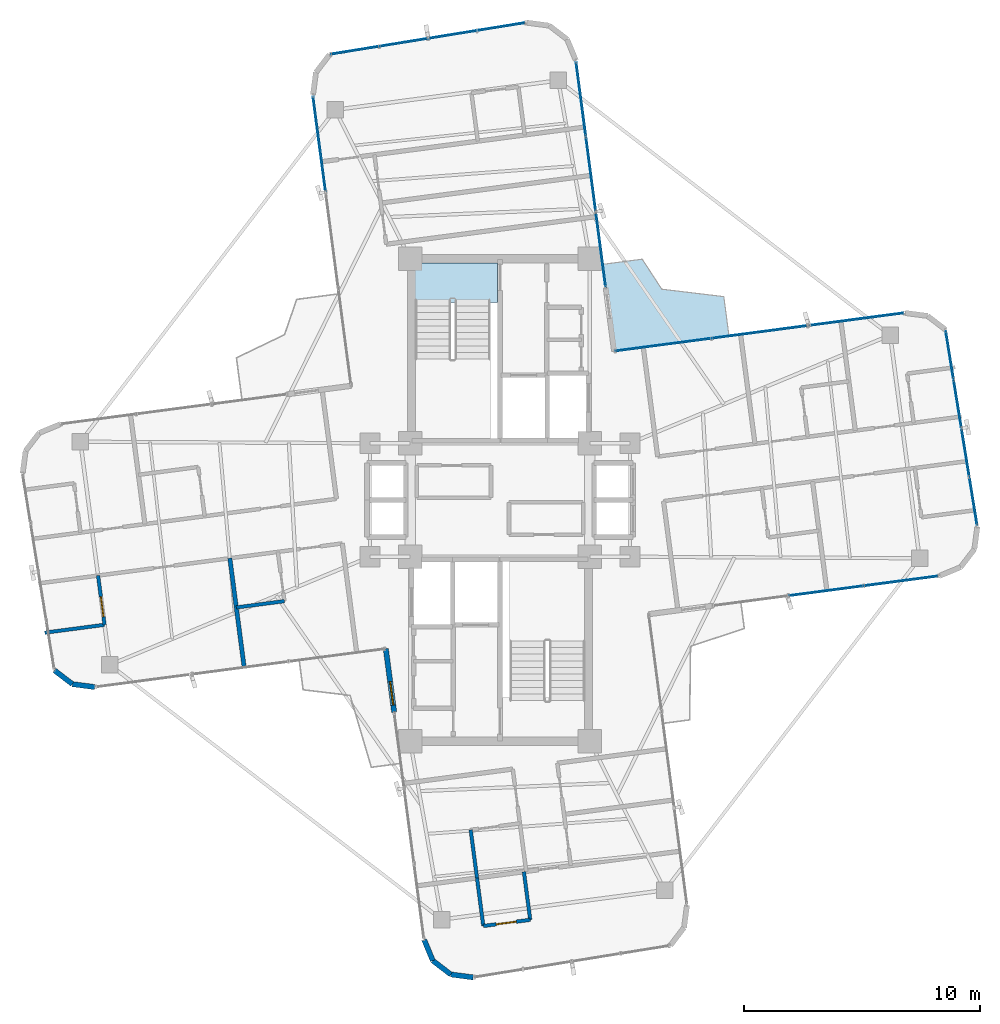
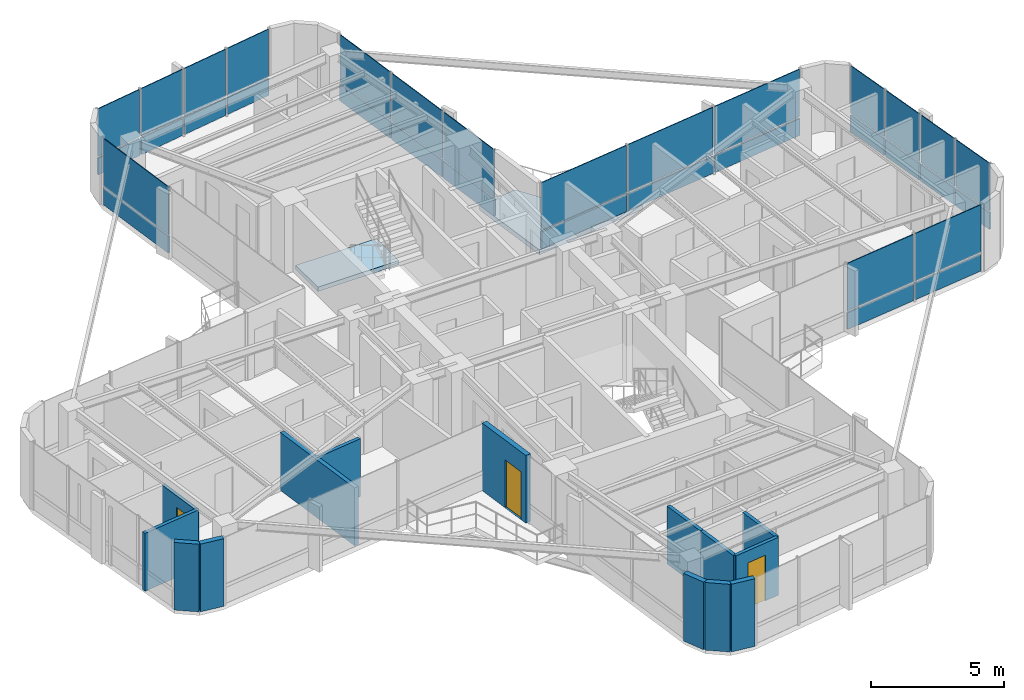
# One storey, part 18 of 23: 34 plates, 14 walls, 3 doors, 2 slabs, 3 openings, 6 elements without a shape of their own.
"""IFC4 building model written with IfcOpenShell, lengths in metres."""

from ifc_helpers import new_model, si_unit, direction, frame, frame_2d, origin, origin_2d, place, context, subcontext, project, spatial, polyline, rectangle, outline, extrude, source, transform, mapped, material, layer, layer_set, type_object, element, fill, aggregate, save


model = new_model("IFC4")

# Units and contexts
model_context = context("Model", 3, precision=1e-05, world=origin(), true_north=direction((0.0, 1.0)))
body_context = subcontext(model_context, "Body", "Model", "MODEL_VIEW")
ifc_project = project(units=[si_unit("LENGTHUNIT", "METRE"), si_unit("AREAUNIT", "SQUARE_METRE"), si_unit("VOLUMEUNIT", "CUBIC_METRE"), si_unit("PLANEANGLEUNIT", "RADIAN"), si_unit("MASSUNIT", "GRAM", prefix="KILO")], contexts=[model_context])

# Site, building, storey
site_placement = place(None, origin())
site = spatial("IfcSite", under=ifc_project, at=site_placement, CompositionType="ELEMENT")
building_placement = place(site_placement, origin())
building = spatial("IfcBuilding", under=site, at=building_placement, Name="Sahyath Konkavel Grand Hotel", CompositionType="ELEMENT")
storey_placement = place(building_placement, frame((0.0, 0.0, 251.199951171875)))
storey = spatial("IfcBuildingStorey", under=building, at=storey_placement, Name="L70", CompositionType="ELEMENT", Elevation=251.199951171875)

# Slabs
ifc_material_1 = material(Name="Concrete C40/50", Category="concrete")
ifc_layer_1 = layer(ifc_material_1, 0.219970703125)
ifc_layer_set_1 = layer_set([ifc_layer_1], Name="Concrete C40/50")
slab_type_1 = type_object("IfcSlabType", Name="SLB-BALCONY-220", PredefinedType="FLOOR", material=ifc_layer_set_1)
slab_1_placement = place(storey_placement, frame((0.0, 0.0, -0.219970703125)))
element("IfcSlab", 1, at=slab_1_placement, inside=storey, type_object=slab_type_1, Name="L70 Winter-Garden Balcony NE", PredefinedType="FLOOR", context=body_context, shape_type="SweptSolid", body=[
    extrude(outline(polyline([(4.827880859375, 6.2919921875), (9.68310546875, 6.93115234375), (9.46337890625, 8.599365234375), (6.840087890625, 8.9140625), (6.012939453125, 10.18310546875), (4.3447265625, 9.96337890625), (4.827880859375, 6.2919921875)])), origin(), (0.0, 0.0, 1.0), 0.219970703125),
])
ifc_layer_2 = layer(ifc_material_1, 0.199951171875)
ifc_layer_set_2 = layer_set([ifc_layer_2], Name="Concrete C40/50")
slab_type_2 = type_object("IfcSlabType", Name="SLB-STAIR-LND", PredefinedType="LANDING", material=ifc_layer_set_2)
slab_2_placement = place(storey_placement, frame((0.0, 0.0, -0.199951171875)))
element("IfcSlab", 2, at=slab_2_placement, inside=storey, type_object=slab_type_2, Name="L70 Stair ST-1 Floor Landing Slab", PredefinedType="LANDING", context=body_context, shape_type="SweptSolid", body=[
    extrude(outline(polyline([(-3.6201171875, 8.35009765625), (-0.10009765625, 8.35009765625), (-0.10009765625, 10.02001953125), (-3.6201171875, 10.02001953125), (-3.6201171875, 8.35009765625)])), origin(), (0.0, 0.0, 1.0), 0.199951171875),
])

# Curtain wall, plates
ifc_material_2 = material(Name="Anodised Bronze Aluminium & Low-E Glazing", Category="aluminium")
curtain_wall_type = type_object("IfcCurtainWallType", Name="CW-ZONE4", PredefinedType="NOTDEFINED", material=ifc_material_2)
curtain_wall_1_placement = place(storey_placement, origin())
curtain_wall_1 = element("IfcCurtainWall", 3, at=curtain_wall_1_placement, inside=storey, type_object=curtain_wall_type, Name="L70 Unitised Curtain Wall F0", PredefinedType="NOTDEFINED")
ifc_material_3 = material(Name="Warm Buff Sandstone Cladding", Category="masonry")
ifc_layer_3 = layer(ifc_material_3, 0.074951171875)
ifc_layer_set_3 = layer_set([ifc_layer_3], Name="Warm Buff Sandstone Cladding")
plate_type_1 = type_object("IfcPlateType", Name="PNL-SPANDREL-STONE", PredefinedType="SHEET", material=ifc_layer_set_3)
shared_shape_1 = source(origin(), body_context, "Body", "SweptSolid", [
    extrude(rectangle(XDim=3.129638671875, YDim=0.074951171875, at=origin_2d()), origin(), (0.0, 0.0, 1.0), 0.77001953125),
])
plate_1_placement = place(storey_placement, frame((13.781982421875, -3.841796875, 0.0400390625), z_axis=(0.0, 0.0, 1.0), x_axis=(0.991444861374, 0.13052619222, 0.0)))
plate_1 = element("IfcPlate", 4, at=plate_1_placement, type_object=plate_type_1, Name="L70 Sandstone Relief Spandrel Panel F0-1", PredefinedType="SHEET", context=body_context, shape_type="MappedRepresentation", body=[
    mapped(shared_shape_1, transform((0.0, 0.0, 0.0), scale=1.0)),
])
plate_2_placement = place(storey_placement, frame((16.964111328125, -3.423095703125, 0.0400390625), z_axis=(0.0, 0.0, 1.0), x_axis=(0.991444861374, 0.13052619222, 0.0)))
plate_2 = element("IfcPlate", 5, at=plate_2_placement, type_object=plate_type_1, Name="L70 Sandstone Relief Spandrel Panel F0-2", PredefinedType="SHEET", context=body_context, shape_type="MappedRepresentation", body=[
    mapped(shared_shape_1, transform((0.0, 0.0, 0.0), scale=1.0)),
])

curtain_wall_2_placement = place(storey_placement, origin())
curtain_wall_2 = element("IfcCurtainWall", 6, at=curtain_wall_2_placement, inside=storey, type_object=curtain_wall_type, Name="L70 Unitised Curtain Wall F8", PredefinedType="NOTDEFINED")
plate_3_placement = place(storey_placement, frame((4.260986328125, 10.599609375, 0.0400390625), z_axis=(0.0, 0.0, 1.0), x_axis=(-0.13052619222, 0.991444861374, 0.0)))
plate_3 = element("IfcPlate", 7, at=plate_3_placement, type_object=plate_type_1, Name="L70 Sandstone Relief Spandrel Panel F8-0", PredefinedType="SHEET", context=body_context, shape_type="MappedRepresentation", body=[
    mapped(shared_shape_1, transform((0.0, 0.0, 0.0), scale=1.0)),
])
plate_4_placement = place(storey_placement, frame((3.841796875, 13.781982421875, 0.0400390625), z_axis=(0.0, 0.0, 1.0), x_axis=(-0.13052619222, 0.991444861374, 0.0)))
plate_4 = element("IfcPlate", 8, at=plate_4_placement, type_object=plate_type_1, Name="L70 Sandstone Relief Spandrel Panel F8-1", PredefinedType="SHEET", context=body_context, shape_type="MappedRepresentation", body=[
    mapped(shared_shape_1, transform((0.0, 0.0, 0.0), scale=1.0)),
])
plate_5_placement = place(storey_placement, frame((3.423095703125, 16.964111328125, 0.0400390625), z_axis=(0.0, 0.0, 1.0), x_axis=(-0.13052619222, 0.991444861374, 0.0)))
plate_5 = element("IfcPlate", 9, at=plate_5_placement, type_object=plate_type_1, Name="L70 Sandstone Relief Spandrel Panel F8-2", PredefinedType="SHEET", context=body_context, shape_type="MappedRepresentation", body=[
    mapped(shared_shape_1, transform((0.0, 0.0, 0.0), scale=1.0)),
])

# Plate
ifc_material_4 = material(Name="Low-E Solar Control Double Glazing", Category="glass")
ifc_layer_4 = layer(ifc_material_4, 0.035888671875)
ifc_layer_set_4 = layer_set([ifc_layer_4], Name="Low-E Solar Control Double Glazing")
plate_type_2 = type_object("IfcPlateType", Name="PNL-VISION-LOWE", PredefinedType="CURTAIN_PANEL", material=ifc_layer_set_4)
shared_shape_2 = source(origin(), body_context, "Body", "SweptSolid", [
    extrude(rectangle(XDim=3.129638671875, YDim=0.035888671875, at=origin_2d()), origin(), (0.0, 0.0, 1.0), 2.179931640625),
])
plate_6_placement = place(storey_placement, frame((13.781982421875, -3.841796875, 0.89013671875), z_axis=(0.0, 0.0, 1.0), x_axis=(0.991444861374, 0.13052619222, 0.0)))
plate_6 = element("IfcPlate", 10, at=plate_6_placement, type_object=plate_type_2, Name="L70 Low-E Vision Glazing Panel F0-1", PredefinedType="CURTAIN_PANEL", context=body_context, shape_type="MappedRepresentation", body=[
    mapped(shared_shape_2, transform((0.0, 0.0, 0.0), scale=1.0)),
])

plate_7_placement = place(storey_placement, frame((16.964111328125, -3.423095703125, 0.89013671875), z_axis=(0.0, 0.0, 1.0), x_axis=(0.991444861374, 0.13052619222, 0.0)))
plate_7 = element("IfcPlate", 11, at=plate_7_placement, type_object=plate_type_2, Name="L70 Low-E Vision Glazing Panel F0-2", PredefinedType="CURTAIN_PANEL", context=body_context, shape_type="MappedRepresentation", body=[
    mapped(shared_shape_2, transform((0.0, 0.0, 0.0), scale=1.0)),
])

aggregate(curtain_wall_1, [plate_1, plate_6, plate_2, plate_7])

plate_8_placement = place(storey_placement, frame((4.260986328125, 10.599609375, 0.89013671875), z_axis=(0.0, 0.0, 1.0), x_axis=(-0.13052619222, 0.991444861374, 0.0)))
plate_8 = element("IfcPlate", 12, at=plate_8_placement, type_object=plate_type_2, Name="L70 Low-E Vision Glazing Panel F8-0", PredefinedType="CURTAIN_PANEL", context=body_context, shape_type="MappedRepresentation", body=[
    mapped(shared_shape_2, transform((0.0, 0.0, 0.0), scale=1.0)),
])

plate_9_placement = place(storey_placement, frame((3.841796875, 13.781982421875, 0.89013671875), z_axis=(0.0, 0.0, 1.0), x_axis=(-0.13052619222, 0.991444861374, 0.0)))
plate_9 = element("IfcPlate", 13, at=plate_9_placement, type_object=plate_type_2, Name="L70 Low-E Vision Glazing Panel F8-1", PredefinedType="CURTAIN_PANEL", context=body_context, shape_type="MappedRepresentation", body=[
    mapped(shared_shape_2, transform((0.0, 0.0, 0.0), scale=1.0)),
])

plate_10_placement = place(storey_placement, frame((3.423095703125, 16.964111328125, 0.89013671875), z_axis=(0.0, 0.0, 1.0), x_axis=(-0.13052619222, 0.991444861374, 0.0)))
plate_10 = element("IfcPlate", 14, at=plate_10_placement, type_object=plate_type_2, Name="L70 Low-E Vision Glazing Panel F8-2", PredefinedType="CURTAIN_PANEL", context=body_context, shape_type="MappedRepresentation", body=[
    mapped(shared_shape_2, transform((0.0, 0.0, 0.0), scale=1.0)),
])

aggregate(curtain_wall_2, [plate_3, plate_8, plate_4, plate_9, plate_5, plate_10])

# Curtain wall, plates
curtain_wall_3_placement = place(storey_placement, origin())
curtain_wall_3 = element("IfcCurtainWall", 15, at=curtain_wall_3_placement, inside=storey, type_object=curtain_wall_type, Name="L70 Unitised Curtain Wall F4", PredefinedType="NOTDEFINED")
shared_shape_3 = source(origin(), body_context, "Body", "SweptSolid", [
    extrude(rectangle(XDim=2.01123046875, YDim=0.074951171875, at=origin_2d()), origin(), (0.0, 0.0, 1.0), 0.77001953125),
])
plate_11_placement = place(storey_placement, frame((20.014404296875, -0.06103515625, 0.0400390625), z_axis=(0.0, 0.0, 1.0), x_axis=(-0.159588291433, 0.987183659325, 0.0)))
plate_11 = element("IfcPlate", 16, at=plate_11_placement, type_object=plate_type_1, Name="L70 Sandstone Relief Spandrel Panel F4-0", PredefinedType="SHEET", context=body_context, shape_type="MappedRepresentation", body=[
    mapped(shared_shape_3, transform((0.0, 0.0, 0.0), scale=1.0)),
])
plate_12_placement = place(storey_placement, frame((19.6806640625, 2.00341796875, 0.0400390625), z_axis=(0.0, 0.0, 1.0), x_axis=(-0.159588291433, 0.987183659325, 0.0)))
plate_12 = element("IfcPlate", 17, at=plate_12_placement, type_object=plate_type_1, Name="L70 Sandstone Relief Spandrel Panel F4-1", PredefinedType="SHEET", context=body_context, shape_type="MappedRepresentation", body=[
    mapped(shared_shape_3, transform((0.0, 0.0, 0.0), scale=1.0)),
])
plate_13_placement = place(storey_placement, frame((19.346923828125, 4.067626953125, 0.0400390625), z_axis=(0.0, 0.0, 1.0), x_axis=(-0.159588291433, 0.987183659325, 0.0)))
plate_13 = element("IfcPlate", 18, at=plate_13_placement, type_object=plate_type_1, Name="L70 Sandstone Relief Spandrel Panel F4-2", PredefinedType="SHEET", context=body_context, shape_type="MappedRepresentation", body=[
    mapped(shared_shape_3, transform((0.0, 0.0, 0.0), scale=1.0)),
])
plate_14_placement = place(storey_placement, frame((19.01318359375, 6.132080078125, 0.0400390625), z_axis=(0.0, 0.0, 1.0), x_axis=(-0.159588291433, 0.987183659325, 0.0)))
plate_14 = element("IfcPlate", 19, at=plate_14_placement, type_object=plate_type_1, Name="L70 Sandstone Relief Spandrel Panel F4-3", PredefinedType="SHEET", context=body_context, shape_type="MappedRepresentation", body=[
    mapped(shared_shape_3, transform((0.0, 0.0, 0.0), scale=1.0)),
])

curtain_wall_4_placement = place(storey_placement, origin())
curtain_wall_4 = element("IfcCurtainWall", 20, at=curtain_wall_4_placement, inside=storey, type_object=curtain_wall_type, Name="L70 Unitised Curtain Wall F12", PredefinedType="NOTDEFINED")
plate_15_placement = place(storey_placement, frame((0.06103515625, 20.014404296875, 0.0400390625), z_axis=(0.0, 0.0, 1.0), x_axis=(-0.987183659325, -0.159588291433, 0.0)))
plate_15 = element("IfcPlate", 21, at=plate_15_placement, type_object=plate_type_1, Name="L70 Sandstone Relief Spandrel Panel F12-0", PredefinedType="SHEET", context=body_context, shape_type="MappedRepresentation", body=[
    mapped(shared_shape_3, transform((0.0, 0.0, 0.0), scale=1.0)),
])
plate_16_placement = place(storey_placement, frame((-2.00341796875, 19.6806640625, 0.0400390625), z_axis=(0.0, 0.0, 1.0), x_axis=(-0.987183659325, -0.159588291433, 0.0)))
plate_16 = element("IfcPlate", 22, at=plate_16_placement, type_object=plate_type_1, Name="L70 Sandstone Relief Spandrel Panel F12-1", PredefinedType="SHEET", context=body_context, shape_type="MappedRepresentation", body=[
    mapped(shared_shape_3, transform((0.0, 0.0, 0.0), scale=1.0)),
])
plate_17_placement = place(storey_placement, frame((-4.067626953125, 19.346923828125, 0.0400390625), z_axis=(0.0, 0.0, 1.0), x_axis=(-0.987183659325, -0.159588291433, 0.0)))
plate_17 = element("IfcPlate", 23, at=plate_17_placement, type_object=plate_type_1, Name="L70 Sandstone Relief Spandrel Panel F12-2", PredefinedType="SHEET", context=body_context, shape_type="MappedRepresentation", body=[
    mapped(shared_shape_3, transform((0.0, 0.0, 0.0), scale=1.0)),
])
plate_18_placement = place(storey_placement, frame((-6.132080078125, 19.01318359375, 0.0400390625), z_axis=(0.0, 0.0, 1.0), x_axis=(-0.987183659325, -0.159588291433, 0.0)))
plate_18 = element("IfcPlate", 24, at=plate_18_placement, type_object=plate_type_1, Name="L70 Sandstone Relief Spandrel Panel F12-3", PredefinedType="SHEET", context=body_context, shape_type="MappedRepresentation", body=[
    mapped(shared_shape_3, transform((0.0, 0.0, 0.0), scale=1.0)),
])

# Plate
shared_shape_4 = source(origin(), body_context, "Body", "SweptSolid", [
    extrude(rectangle(XDim=2.01123046875, YDim=0.035888671875, at=origin_2d()), origin(), (0.0, 0.0, 1.0), 2.179931640625),
])
plate_19_placement = place(storey_placement, frame((20.014404296875, -0.06103515625, 0.89013671875), z_axis=(0.0, 0.0, 1.0), x_axis=(-0.159588291433, 0.987183659325, 0.0)))
plate_19 = element("IfcPlate", 25, at=plate_19_placement, type_object=plate_type_2, Name="L70 Low-E Vision Glazing Panel F4-0", PredefinedType="CURTAIN_PANEL", context=body_context, shape_type="MappedRepresentation", body=[
    mapped(shared_shape_4, transform((0.0, 0.0, 0.0), scale=1.0)),
])

plate_20_placement = place(storey_placement, frame((19.6806640625, 2.00341796875, 0.89013671875), z_axis=(0.0, 0.0, 1.0), x_axis=(-0.159588291433, 0.987183659325, 0.0)))
plate_20 = element("IfcPlate", 26, at=plate_20_placement, type_object=plate_type_2, Name="L70 Low-E Vision Glazing Panel F4-1", PredefinedType="CURTAIN_PANEL", context=body_context, shape_type="MappedRepresentation", body=[
    mapped(shared_shape_4, transform((0.0, 0.0, 0.0), scale=1.0)),
])

plate_21_placement = place(storey_placement, frame((19.346923828125, 4.067626953125, 0.89013671875), z_axis=(0.0, 0.0, 1.0), x_axis=(-0.159588291433, 0.987183659325, 0.0)))
plate_21 = element("IfcPlate", 27, at=plate_21_placement, type_object=plate_type_2, Name="L70 Low-E Vision Glazing Panel F4-2", PredefinedType="CURTAIN_PANEL", context=body_context, shape_type="MappedRepresentation", body=[
    mapped(shared_shape_4, transform((0.0, 0.0, 0.0), scale=1.0)),
])

plate_22_placement = place(storey_placement, frame((19.01318359375, 6.132080078125, 0.89013671875), z_axis=(0.0, 0.0, 1.0), x_axis=(-0.159588291433, 0.987183659325, 0.0)))
plate_22 = element("IfcPlate", 28, at=plate_22_placement, type_object=plate_type_2, Name="L70 Low-E Vision Glazing Panel F4-3", PredefinedType="CURTAIN_PANEL", context=body_context, shape_type="MappedRepresentation", body=[
    mapped(shared_shape_4, transform((0.0, 0.0, 0.0), scale=1.0)),
])

aggregate(curtain_wall_3, [plate_11, plate_19, plate_12, plate_20, plate_13, plate_21, plate_14, plate_22])

plate_23_placement = place(storey_placement, frame((0.06103515625, 20.014404296875, 0.89013671875), z_axis=(0.0, 0.0, 1.0), x_axis=(-0.987183659325, -0.159588291433, 0.0)))
plate_23 = element("IfcPlate", 29, at=plate_23_placement, type_object=plate_type_2, Name="L70 Low-E Vision Glazing Panel F12-0", PredefinedType="CURTAIN_PANEL", context=body_context, shape_type="MappedRepresentation", body=[
    mapped(shared_shape_4, transform((0.0, 0.0, 0.0), scale=1.0)),
])

plate_24_placement = place(storey_placement, frame((-2.00341796875, 19.6806640625, 0.89013671875), z_axis=(0.0, 0.0, 1.0), x_axis=(-0.987183659325, -0.159588291433, 0.0)))
plate_24 = element("IfcPlate", 30, at=plate_24_placement, type_object=plate_type_2, Name="L70 Low-E Vision Glazing Panel F12-1", PredefinedType="CURTAIN_PANEL", context=body_context, shape_type="MappedRepresentation", body=[
    mapped(shared_shape_4, transform((0.0, 0.0, 0.0), scale=1.0)),
])

plate_25_placement = place(storey_placement, frame((-4.067626953125, 19.346923828125, 0.89013671875), z_axis=(0.0, 0.0, 1.0), x_axis=(-0.987183659325, -0.159588291433, 0.0)))
plate_25 = element("IfcPlate", 31, at=plate_25_placement, type_object=plate_type_2, Name="L70 Low-E Vision Glazing Panel F12-2", PredefinedType="CURTAIN_PANEL", context=body_context, shape_type="MappedRepresentation", body=[
    mapped(shared_shape_4, transform((0.0, 0.0, 0.0), scale=1.0)),
])

plate_26_placement = place(storey_placement, frame((-6.132080078125, 19.01318359375, 0.89013671875), z_axis=(0.0, 0.0, 1.0), x_axis=(-0.987183659325, -0.159588291433, 0.0)))
plate_26 = element("IfcPlate", 32, at=plate_26_placement, type_object=plate_type_2, Name="L70 Low-E Vision Glazing Panel F12-3", PredefinedType="CURTAIN_PANEL", context=body_context, shape_type="MappedRepresentation", body=[
    mapped(shared_shape_4, transform((0.0, 0.0, 0.0), scale=1.0)),
])

aggregate(curtain_wall_4, [plate_15, plate_23, plate_16, plate_24, plate_17, plate_25, plate_18, plate_26])

# Curtain wall, plates
curtain_wall_5_placement = place(storey_placement, origin())
curtain_wall_5 = element("IfcCurtainWall", 33, at=curtain_wall_5_placement, inside=storey, type_object=curtain_wall_type, Name="L70 Unitised Curtain Wall F7", PredefinedType="NOTDEFINED")
shared_shape_5 = source(origin(), body_context, "Body", "SweptSolid", [
    extrude(rectangle(XDim=4.02978515625, YDim=0.074951171875, at=origin_2d()), origin(), (0.0, 0.0, 1.0), 0.77001953125),
])
plate_27_placement = place(storey_placement, frame((15.053955078125, 7.63818359375, 0.0400390625), z_axis=(0.0, 0.0, 1.0), x_axis=(-0.991444861374, -0.13052619222, 0.0)))
plate_27 = element("IfcPlate", 34, at=plate_27_placement, type_object=plate_type_1, Name="L70 Sandstone Relief Spandrel Panel F7-0", PredefinedType="SHEET", context=body_context, shape_type="MappedRepresentation", body=[
    mapped(shared_shape_5, transform((0.0, 0.0, 0.0), scale=1.0)),
])
plate_28_placement = place(storey_placement, frame((10.9794921875, 7.101806640625, 0.0400390625), z_axis=(0.0, 0.0, 1.0), x_axis=(-0.991444861374, -0.13052619222, 0.0)))
plate_28 = element("IfcPlate", 35, at=plate_28_placement, type_object=plate_type_1, Name="L70 Sandstone Relief Spandrel Panel F7-1", PredefinedType="SHEET", context=body_context, shape_type="MappedRepresentation", body=[
    mapped(shared_shape_5, transform((0.0, 0.0, 0.0), scale=1.0)),
])
plate_29_placement = place(storey_placement, frame((6.90478515625, 6.5654296875, 0.0400390625), z_axis=(0.0, 0.0, 1.0), x_axis=(-0.991444861374, -0.13052619222, 0.0)))
plate_29 = element("IfcPlate", 36, at=plate_29_placement, type_object=plate_type_1, Name="L70 Sandstone Relief Spandrel Panel F7-2", PredefinedType="SHEET", context=body_context, shape_type="MappedRepresentation", body=[
    mapped(shared_shape_5, transform((0.0, 0.0, 0.0), scale=1.0)),
])

# Curtain wall, plate
curtain_wall_6_placement = place(storey_placement, origin())
curtain_wall_6 = element("IfcCurtainWall", 37, at=curtain_wall_6_placement, inside=storey, type_object=curtain_wall_type, Name="L70 Unitised Curtain Wall F15", PredefinedType="NOTDEFINED")
plate_30_placement = place(storey_placement, frame((-7.63818359375, 15.053955078125, 0.0400390625), z_axis=(0.0, 0.0, 1.0), x_axis=(0.13052619222, -0.991444861374, 0.0)))
plate_30 = element("IfcPlate", 38, at=plate_30_placement, type_object=plate_type_1, Name="L70 Sandstone Relief Spandrel Panel F15-0", PredefinedType="SHEET", context=body_context, shape_type="MappedRepresentation", body=[
    mapped(shared_shape_5, transform((0.0, 0.0, 0.0), scale=1.0)),
])

# Plate
shared_shape_6 = source(origin(), body_context, "Body", "SweptSolid", [
    extrude(rectangle(XDim=4.02978515625, YDim=0.035888671875, at=origin_2d()), origin(), (0.0, 0.0, 1.0), 2.179931640625),
])
plate_31_placement = place(storey_placement, frame((15.053955078125, 7.63818359375, 0.89013671875), z_axis=(0.0, 0.0, 1.0), x_axis=(-0.991444861374, -0.13052619222, 0.0)))
plate_31 = element("IfcPlate", 39, at=plate_31_placement, type_object=plate_type_2, Name="L70 Low-E Vision Glazing Panel F7-0", PredefinedType="CURTAIN_PANEL", context=body_context, shape_type="MappedRepresentation", body=[
    mapped(shared_shape_6, transform((0.0, 0.0, 0.0), scale=1.0)),
])

plate_32_placement = place(storey_placement, frame((10.9794921875, 7.101806640625, 0.89013671875), z_axis=(0.0, 0.0, 1.0), x_axis=(-0.991444861374, -0.13052619222, 0.0)))
plate_32 = element("IfcPlate", 40, at=plate_32_placement, type_object=plate_type_2, Name="L70 Low-E Vision Glazing Panel F7-1", PredefinedType="CURTAIN_PANEL", context=body_context, shape_type="MappedRepresentation", body=[
    mapped(shared_shape_6, transform((0.0, 0.0, 0.0), scale=1.0)),
])

plate_33_placement = place(storey_placement, frame((6.90478515625, 6.5654296875, 0.89013671875), z_axis=(0.0, 0.0, 1.0), x_axis=(-0.991444861374, -0.13052619222, 0.0)))
plate_33 = element("IfcPlate", 41, at=plate_33_placement, type_object=plate_type_2, Name="L70 Low-E Vision Glazing Panel F7-2", PredefinedType="CURTAIN_PANEL", context=body_context, shape_type="MappedRepresentation", body=[
    mapped(shared_shape_6, transform((0.0, 0.0, 0.0), scale=1.0)),
])

aggregate(curtain_wall_5, [plate_27, plate_31, plate_28, plate_32, plate_29, plate_33])

plate_34_placement = place(storey_placement, frame((-7.63818359375, 15.053955078125, 0.89013671875), z_axis=(0.0, 0.0, 1.0), x_axis=(0.13052619222, -0.991444861374, 0.0)))
plate_34 = element("IfcPlate", 42, at=plate_34_placement, type_object=plate_type_2, Name="L70 Low-E Vision Glazing Panel F15-0", PredefinedType="CURTAIN_PANEL", context=body_context, shape_type="MappedRepresentation", body=[
    mapped(shared_shape_6, transform((0.0, 0.0, 0.0), scale=1.0)),
])

aggregate(curtain_wall_6, [plate_30, plate_34])

# Walls
ifc_material_5 = material(Name="Warm Buff Sandstone Insulated Concrete C40/50", Category="masonry")
ifc_layer_5 = layer(ifc_material_5, 0.219970703125)
ifc_layer_set_5 = layer_set([ifc_layer_5], Name="Warm Buff Sandstone Insulated Concrete C40/50")
wall_type_1 = type_object("IfcWallType", Name="WLL-BALC-THRESH", PredefinedType="STANDARD", material=ifc_layer_set_5)
for number, where, z_axis, x_axis, name in (
    (43, (-18.840087890625, -7.20361328125, 0.0), (0.0, 0.0, 1.0), (0.793343685778, -0.608774010809, 0.0), "L70 Rounded Corner Sandstone Pier 21"),
    (44, (-18.080322265625, -7.78662109375, 0.0), (0.0, 0.0, 1.0), (0.991444747987, -0.130527053476, 0.0), "L70 Rounded Corner Sandstone Pier 22"),
):
    element("IfcWall", number, at=place(storey_placement, frame(where, z_axis=z_axis, x_axis=x_axis)), inside=storey, type_object=wall_type_1, Name=name, PredefinedType="STANDARD", context=body_context, shape_type="SweptSolid", body=[
        extrude(rectangle(XDim=0.957763671875, YDim=0.219970703125, at=frame_2d((0.47900390625, 0.0))), origin(), (0.0, 0.0, 1.0), 3.110107421875),
    ])

# Wall, opening, door
wall_1_placement = place(storey_placement, frame((-4.827880859375, -6.2919921875, 0.0), z_axis=(0.0, 0.0, 1.0), x_axis=(0.130475563272, -0.991451525486, 0.0)))
wall_1 = element("IfcWall", 45, at=wall_1_placement, inside=storey, type_object=wall_type_1, Name="L70 Winter-Garden Threshold Wall 24", PredefinedType="STANDARD", context=body_context, shape_type="SweptSolid", body=[
    extrude(rectangle(XDim=2.7001953125, YDim=0.219970703125, at=frame_2d((1.35009765625, 0.0))), origin(), (0.0, 0.0, 1.0), 3.110107421875),
])
opening_1_placement = place(wall_1_placement, frame((1.39990234375, 0.0, 0.0)))
opening_1 = element("IfcOpeningElement", 46, at=opening_1_placement, cuts=wall_1, Name="Opening D-TR1", PredefinedType="OPENING", context=body_context, shape_type="SweptSolid", body=[
    extrude(rectangle(XDim=1.0, YDim=2.199951171875, at=frame_2d((0.5, 1.10009765625))), frame((0.0, 0.1201171875, 0.0), z_axis=(0.0, -1.0, 0.0), x_axis=(1.0, 0.0, 0.0)), (0.0, 0.0, 1.0), 0.239990234375),
])
door_type_1 = type_object("IfcDoorType", Name="DR-TERRACE-1000", OperationType="NOTDEFINED", PredefinedType="DOOR", material=ifc_material_2)
shared_shape_7 = source(origin(), body_context, "Body", "SweptSolid", [
    extrude(rectangle(XDim=1.0, YDim=0.050048828125, at=origin_2d()), origin(), (0.0, 0.0, 1.0), 2.199951171875),
])
door_1_placement = place(opening_1_placement, frame((0.5, 0.0, 0.0)))
door_1 = element("IfcDoor", 47, at=door_1_placement, inside=storey, type_object=door_type_1, Name="L70 Winter-Garden Terrace Door 24", OperationType="SINGLE_SWING_LEFT", OverallHeight=2.199951171875, OverallWidth=1.0, PredefinedType="DOOR", context=body_context, shape_type="MappedRepresentation", body=[
    mapped(shared_shape_7, transform((0.0, 0.0, 0.0), scale=1.0)),
])
fill(opening_1, door_1)

# Walls
wall_2_placement = place(storey_placement, frame((-3.208251953125, -18.594970703125, 0.0), z_axis=(0.0, 0.0, 1.0), x_axis=(0.382749655273, -0.923852099304, 0.0)))
element("IfcWall", 48, at=wall_2_placement, inside=storey, type_object=wall_type_1, Name="L70 Rounded Corner Sandstone Pier 25", PredefinedType="STANDARD", context=body_context, shape_type="SweptSolid", body=[
    extrude(rectangle(XDim=0.95751953125, YDim=0.219970703125, at=frame_2d((0.478759765625, 0.0))), origin(), (0.0, 0.0, 1.0), 3.110107421875),
])
wall_3_placement = place(storey_placement, frame((-2.841796875, -19.4794921875, 0.0), z_axis=(0.0, 0.0, 1.0), x_axis=(0.793343685778, -0.608774010809, 0.0)))
element("IfcWall", 49, at=wall_3_placement, inside=storey, type_object=wall_type_1, Name="L70 Rounded Corner Sandstone Pier 26", PredefinedType="STANDARD", context=body_context, shape_type="SweptSolid", body=[
    extrude(rectangle(XDim=0.957763671875, YDim=0.219970703125, at=frame_2d((0.47900390625, 0.0))), origin(), (0.0, 0.0, 1.0), 3.110107421875),
])
wall_4_placement = place(storey_placement, frame((-2.08203125, -20.0625, 0.0), z_axis=(0.0, 0.0, 1.0), x_axis=(0.991440402921, -0.13056005306, 0.0)))
element("IfcWall", 50, at=wall_4_placement, inside=storey, type_object=wall_type_1, Name="L70 Rounded Corner Sandstone Pier 27", PredefinedType="STANDARD", context=body_context, shape_type="SweptSolid", body=[
    extrude(rectangle(XDim=0.95751953125, YDim=0.219970703125, at=frame_2d((0.478759765625, 0.0))), origin(), (0.0, 0.0, 1.0), 3.110107421875),
])
ifc_material_6 = material(Name="Twin-Stud Acoustic Gypsum Plasterboard Partition")
ifc_layer_6 = layer(ifc_material_6, 0.179931640625)
ifc_layer_set_6 = layer_set([ifc_layer_6], Name="Twin-Stud Acoustic Gypsum Plasterboard Partition")
wall_type_2 = type_object("IfcWallType", Name="WLL-DEMISE-180", PredefinedType="PARTITIONING", material=ifc_layer_set_6)
wall_5_placement = place(storey_placement, frame((-11.42431640625, -2.462158203125, 0.0), z_axis=(0.0, 0.0, 1.0), x_axis=(0.130494257859, -0.991449065089, 0.0)))
element("IfcWall", 51, at=wall_5_placement, inside=storey, type_object=wall_type_2, Name="L70 Partition W-W1L-DEM", PredefinedType="PARTITIONING", context=body_context, shape_type="SweptSolid", body=[
    extrude(rectangle(XDim=4.60791015625, YDim=0.179931640625, at=frame_2d((2.303955078125, 0.0))), origin(), (0.0, 0.0, 1.0), 2.66015625),
])
ifc_material_7 = material(Name="Fire-Rated Gypsum Plasterboard Partition")
ifc_layer_7 = layer(ifc_material_7, 0.14990234375)
ifc_layer_set_7 = layer_set([ifc_layer_7], Name="Fire-Rated Gypsum Plasterboard Partition")
wall_type_3 = type_object("IfcWallType", Name="WLL-PART-150", PredefinedType="PARTITIONING", material=ifc_layer_set_7)
wall_6_placement = place(storey_placement, frame((-9.117919921875, -4.276611328125, 0.0), z_axis=(0.0, 0.0, 1.0), x_axis=(-0.991442940586, -0.130540781221, 0.0)))
element("IfcWall", 52, at=wall_6_placement, inside=storey, type_object=wall_type_3, Name="L70 Partition W-W1L-BF", PredefinedType="PARTITIONING", context=body_context, shape_type="SweptSolid", body=[
    extrude(rectangle(XDim=2.0498046875, YDim=0.14990234375, at=frame_2d((1.02490234375, 0.0))), origin(), (0.0, 0.0, 1.0), 2.66015625),
])

# Wall, opening, door
wall_7_placement = place(storey_placement, frame((-16.995361328125, -3.19580078125, 0.0), z_axis=(0.0, 0.0, 1.0), x_axis=(0.130571811136, -0.991438854462, 0.0)))
wall_7 = element("IfcWall", 53, at=wall_7_placement, inside=storey, type_object=wall_type_3, Name="L70 Partition W-W2L-BS", PredefinedType="PARTITIONING", context=body_context, shape_type="SweptSolid", body=[
    extrude(rectangle(XDim=2.099853515625, YDim=0.14990234375, at=frame_2d((1.0498046875, 0.0))), origin(), (0.0, 0.0, 1.0), 2.630126953125),
])
opening_2_placement = place(wall_7_placement, frame((0.89990234375, 0.0, 0.0)))
opening_2 = element("IfcOpeningElement", 54, at=opening_2_placement, cuts=wall_7, Name="Opening D-BT85", PredefinedType="OPENING", context=body_context, shape_type="SweptSolid", body=[
    extrude(rectangle(XDim=0.85009765625, YDim=2.10009765625, at=frame_2d((0.425048828125, 1.050048828125))), frame((0.0, 0.0849609375, 0.0), z_axis=(0.0, -1.0, 0.0), x_axis=(1.0, 0.0, 0.0)), (0.0, 0.0, 1.0), 0.169921875),
])
ifc_material_8 = material(Name="Moisture-Resistant Teak Bathroom Door")
door_type_2 = type_object("IfcDoorType", Name="DR-BATH-850", OperationType="NOTDEFINED", PredefinedType="DOOR", material=ifc_material_8)
shared_shape_8 = source(origin(), body_context, "Body", "SweptSolid", [
    extrude(rectangle(XDim=0.85009765625, YDim=0.050048828125, at=origin_2d()), origin(), (0.0, 0.0, 1.0), 2.10009765625),
])
door_2_placement = place(opening_2_placement, frame((0.425048828125, 0.0, 0.0)))
door_2 = element("IfcDoor", 55, at=door_2_placement, inside=storey, type_object=door_type_2, Name="L70 Door W-W2L-BD", OperationType="SINGLE_SWING_LEFT", OverallHeight=2.10009765625, OverallWidth=0.85009765625, PredefinedType="DOOR", context=body_context, shape_type="MappedRepresentation", body=[
    mapped(shared_shape_8, transform((0.0, 0.0, 0.0), scale=1.0)),
])
fill(opening_2, door_2)

# Walls
wall_8_placement = place(storey_placement, frame((-16.72119140625, -5.277587890625, 0.0), z_axis=(0.0, 0.0, 1.0), x_axis=(-0.991437342834, -0.130583288492, 0.0)))
element("IfcWall", 56, at=wall_8_placement, inside=storey, type_object=wall_type_3, Name="L70 Partition W-W2L-BF", PredefinedType="PARTITIONING", context=body_context, shape_type="SweptSolid", body=[
    extrude(rectangle(XDim=2.550048828125, YDim=0.14990234375, at=frame_2d((1.27490234375, 0.0))), origin(), (0.0, 0.0, 1.0), 2.66015625),
])
wall_9_placement = place(storey_placement, frame((-1.239990234375, -13.9482421875, 0.0), z_axis=(0.0, 0.0, 1.0), x_axis=(0.13052536781, -0.991444969909, 0.0)))
element("IfcWall", 57, at=wall_9_placement, inside=storey, type_object=wall_type_3, Name="L70 Partition S-S4R1-BF", PredefinedType="PARTITIONING", context=body_context, shape_type="SweptSolid", body=[
    extrude(rectangle(XDim=2.050048828125, YDim=0.14990234375, at=frame_2d((1.02490234375, 0.0))), origin(), (0.0, 0.0, 1.0), 2.66015625),
])
wall_10_placement = place(storey_placement, frame((1.010498046875, -15.719482421875, 0.0), z_axis=(0.0, 0.0, 1.0), x_axis=(0.130509958008, -0.991446998513, 0.0)))
element("IfcWall", 58, at=wall_10_placement, inside=storey, type_object=wall_type_3, Name="L70 Partition S-STIP-BN", PredefinedType="PARTITIONING", context=body_context, shape_type="SweptSolid", body=[
    extrude(rectangle(XDim=2.05029296875, YDim=0.14990234375, at=frame_2d((1.025146484375, 0.0))), origin(), (0.0, 0.0, 1.0), 2.66015625),
])
wall_11_placement = place(storey_placement, frame((-0.972412109375, -15.980712890625, 0.0), z_axis=(0.0, 0.0, 1.0), x_axis=(0.13052536781, -0.991444969909, 0.0)))
element("IfcWall", 59, at=wall_11_placement, inside=storey, type_object=wall_type_3, Name="L70 Partition S-STIP-BS", PredefinedType="PARTITIONING", context=body_context, shape_type="SweptSolid", body=[
    extrude(rectangle(XDim=2.050048828125, YDim=0.14990234375, at=frame_2d((1.02490234375, 0.0))), origin(), (0.0, 0.0, 1.0), 2.66015625),
])

# Wall, opening, door
wall_12_placement = place(storey_placement, frame((-0.704833984375, -18.01318359375, 0.0), z_axis=(0.0, 0.0, 1.0), x_axis=(0.991449308994, 0.130492404742, 0.0)))
wall_12 = element("IfcWall", 60, at=wall_12_placement, inside=storey, type_object=wall_type_3, Name="L70 Partition S-STIP-BE", PredefinedType="PARTITIONING", context=body_context, shape_type="SweptSolid", body=[
    extrude(rectangle(XDim=2.0, YDim=0.14990234375, at=frame_2d((1.0, 0.0))), origin(), (0.0, 0.0, 1.0), 2.66015625),
])
opening_3_placement = place(wall_12_placement, frame((0.550048828125, 0.0, 0.0)))
opening_3 = element("IfcOpeningElement", 61, at=opening_3_placement, cuts=wall_12, Name="Opening D-BT85", PredefinedType="OPENING", context=body_context, shape_type="SweptSolid", body=[
    extrude(rectangle(XDim=0.85009765625, YDim=2.10009765625, at=frame_2d((0.425048828125, 1.050048828125))), frame((0.0, 0.0849609375, 0.0), z_axis=(0.0, -1.0, 0.0), x_axis=(1.0, 0.0, 0.0)), (0.0, 0.0, 1.0), 0.169921875),
])
door_3_placement = place(opening_3_placement, frame((0.425048828125, 0.0, 0.0)))
door_3 = element("IfcDoor", 62, at=door_3_placement, inside=storey, type_object=door_type_2, Name="L70 Door S-STIP-BD", OperationType="SINGLE_SWING_LEFT", OverallHeight=2.10009765625, OverallWidth=0.85009765625, PredefinedType="DOOR", context=body_context, shape_type="MappedRepresentation", body=[
    mapped(shared_shape_8, transform((0.0, 0.0, 0.0), scale=1.0)),
])
fill(opening_3, door_3)

save(model, "model.ifc")
